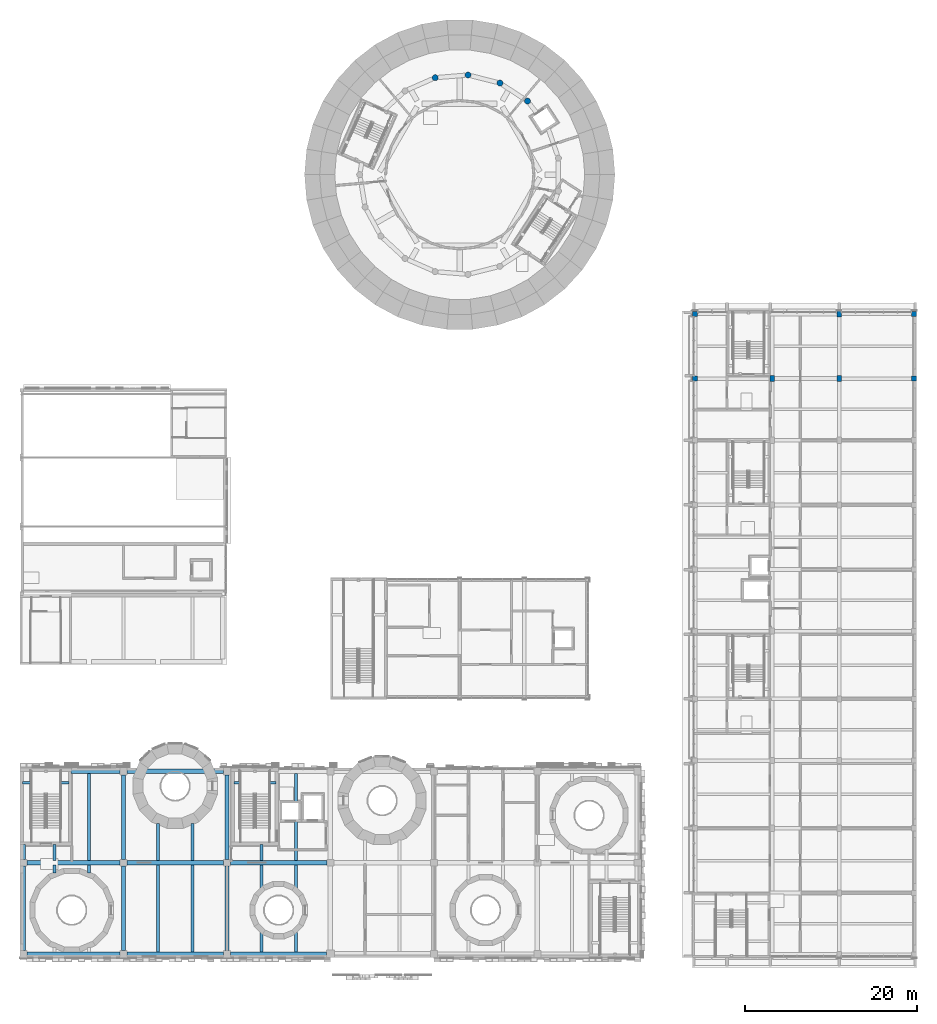
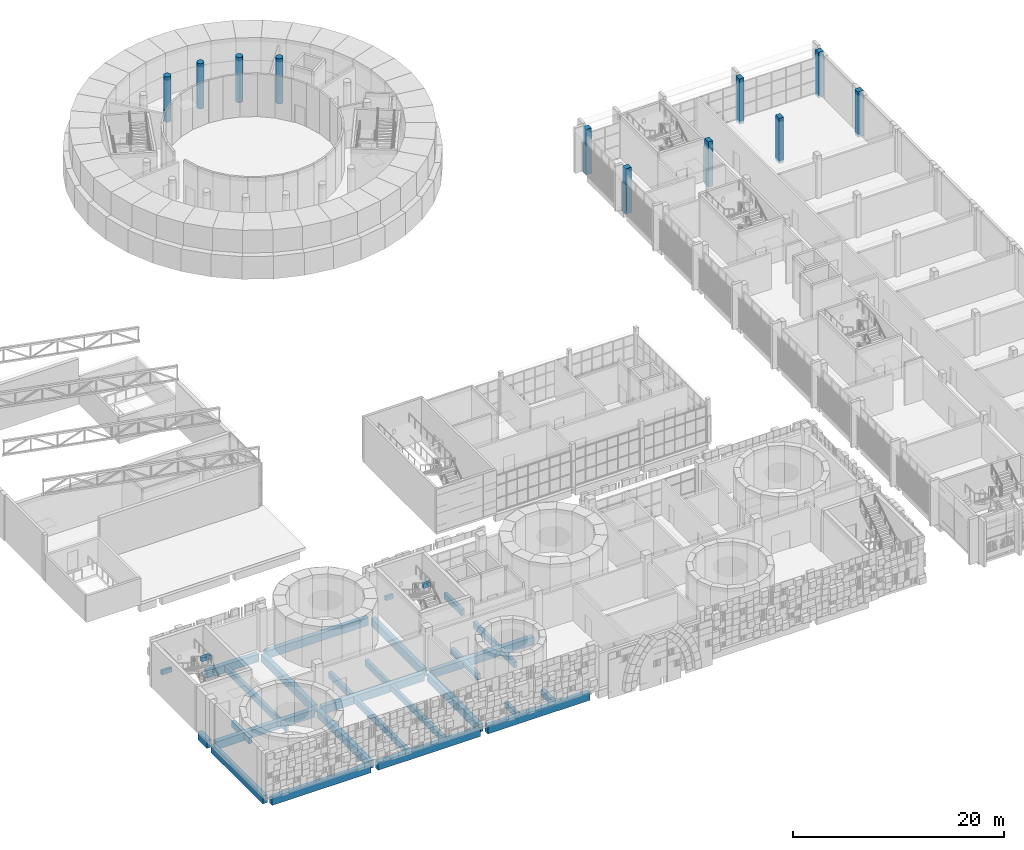
# One storey, part 2 of 125: 33 beams, 11 columns.
"""IFC4 building model written with IfcOpenShell, lengths in metres."""

from ifc_helpers import new_model, si_unit, direction, frame, origin, origin_2d, place, context, subcontext, project, spatial, rectangle, circle, extrude, material, material_profile, profile_set, type_object, element, save


model = new_model("IFC4")

# Units and contexts
model_context = context("Model", 3, precision=1e-05, world=origin(), true_north=direction((0.0, 1.0)))
body_context = subcontext(model_context, "Body", "Model", "MODEL_VIEW")
ifc_project = project(units=[si_unit("LENGTHUNIT", "METRE"), si_unit("AREAUNIT", "SQUARE_METRE"), si_unit("VOLUMEUNIT", "CUBIC_METRE"), si_unit("PLANEANGLEUNIT", "RADIAN"), si_unit("MASSUNIT", "GRAM", prefix="KILO")], contexts=[model_context])

# Site, building, storey
site_placement = place(None, origin())
site = spatial("IfcSite", under=ifc_project, at=site_placement, CompositionType="ELEMENT")
building_placement = place(site_placement, origin())
building = spatial("IfcBuilding", under=site, at=building_placement, Name="Sun Court Science Centre", CompositionType="ELEMENT")
storey_placement = place(building_placement, frame((0.0, 0.0, 6.0)))
storey = spatial("IfcBuildingStorey", under=building, at=storey_placement, Name="L01", CompositionType="ELEMENT", Elevation=6.0)

# Columns
ifc_material_1 = material(Name="Concrete C30/37", Category="concrete")
ifc_material_profile_1 = material_profile(ifc_material_1, rectangle(XDim=0.5, YDim=0.699951171875, at=origin_2d()), Name="RC 500x700")
ifc_profile_set_1 = profile_set([ifc_material_profile_1], Name="Concrete C30/37")
column_type_1 = type_object("IfcColumnType", Name="RC column 500x700", PredefinedType="COLUMN", material=ifc_profile_set_1)
for number, where, z_axis, x_axis, name in (
    (1, (87.25, 73.14990234375, -0.300048828125), (0.0, 0.0, 1.0), (1.0, 0.0, 0.0), "Column 14U L01"),
    (2, (95.0, 73.14990234375, -0.300048828125), (0.0, 0.0, 1.0), (1.0, 0.0, 0.0), "Column 15U L01"),
    (3, (95.0, 80.64990234375, -0.300048828125), (0.0, 0.0, 1.0), (1.0, 0.0, 0.0), "Column 15V L01"),
):
    element("IfcColumn", number, at=place(storey_placement, frame(where, z_axis=z_axis, x_axis=x_axis)), inside=storey, type_object=column_type_1, Name=name, PredefinedType="COLUMN", context=body_context, shape_type="SweptSolid", body=[
        extrude(rectangle(XDim=0.5, YDim=0.699951171875, at=origin_2d()), origin(), (0.0, 0.0, 1.0), 5.25),
    ])
ifc_material_2 = material(Name="Concrete C30/37", Category="concrete")
ifc_material_profile_2 = material_profile(ifc_material_2, rectangle(XDim=0.60009765625, YDim=0.60009765625, at=origin_2d()), Name="RC 600x600")
ifc_profile_set_2 = profile_set([ifc_material_profile_2], Name="Concrete C30/37")
column_type_2 = type_object("IfcColumnType", Name="RC column 600x600", PredefinedType="COLUMN", material=ifc_profile_set_2)
for number, where, z_axis, x_axis, name in (
    (4, (78.300048828125, 73.14990234375, -0.300048828125), (0.0, 0.0, 1.0), (1.0, 0.0, 0.0), "Column 12U L01"),
    (5, (78.300048828125, 80.64990234375, -0.300048828125), (0.0, 0.0, 1.0), (1.0, 0.0, 0.0), "Column 12V L01"),
    (6, (103.699951171875, 73.14990234375, -0.300048828125), (0.0, 0.0, 1.0), (1.0, 0.0, 0.0), "Column 16U L01"),
    (7, (103.699951171875, 80.64990234375, -0.300048828125), (0.0, 0.0, 1.0), (1.0, 0.0, 0.0), "Column 16V L01"),
):
    element("IfcColumn", number, at=place(storey_placement, frame(where, z_axis=z_axis, x_axis=x_axis)), inside=storey, type_object=column_type_2, Name=name, PredefinedType="COLUMN", context=body_context, shape_type="SweptSolid", body=[
        extrude(rectangle(XDim=0.60009765625, YDim=0.60009765625, at=origin_2d()), origin(), (0.0, 0.0, 1.0), 5.25),
    ])
ifc_material_3 = material(Name="Concrete C30/37", Category="concrete")
ifc_material_profile_3 = material_profile(ifc_material_3, circle(Radius=0.35009765625, at=origin_2d()), Name="RC D700")
ifc_profile_set_3 = profile_set([ifc_material_profile_3], Name="Concrete C30/37")
column_type_3 = type_object("IfcColumnType", Name="RC column D700", PredefinedType="COLUMN", material=ifc_profile_set_3)
for number, where, z_axis, x_axis, name in (
    (8, (58.8564453125, 105.33447265625, -0.300048828125), (0.0, 0.0, 1.0), (1.0, 0.0, 0.0), "Column B03 L01"),
    (9, (55.65966796875, 107.4228515625, -0.300048828125), (0.0, 0.0, 1.0), (1.0, 0.0, 0.0), "Column B04 L01"),
    (10, (51.9580078125, 108.3603515625, -0.300048828125), (0.0, 0.0, 1.0), (1.0, 0.0, 0.0), "Column B05 L01"),
    (11, (48.15234375, 108.044921875, -0.300048828125), (0.0, 0.0, 1.0), (1.0, 0.0, 0.0), "Column B06 L01"),
):
    element("IfcColumn", number, at=place(storey_placement, frame(where, z_axis=z_axis, x_axis=x_axis)), inside=storey, type_object=column_type_3, Name=name, PredefinedType="COLUMN", context=body_context, shape_type="SweptSolid", body=[
        extrude(circle(Radius=0.35009765625, at=origin_2d()), origin(), (0.0, 0.0, 1.0), 5.25),
    ])

# Beams
ifc_material_4 = material(Name="Concrete C25/30", Category="concrete")
ifc_material_profile_4 = material_profile(ifc_material_4, rectangle(XDim=0.5, YDim=0.89990234375, at=origin_2d()), Name="RC 500x900")
ifc_profile_set_4 = profile_set([ifc_material_profile_4], Name="Concrete C25/30")
beam_type_1 = type_object("IfcBeamType", Name="RC girder 500x900", PredefinedType="BEAM", material=ifc_profile_set_4)
beam_1_placement = place(storey_placement, frame((0.800048828125, 6.39990234375, -0.75), z_axis=(1.0, 0.0, 0.0), x_axis=(0.0, 1.0, 0.0)))
element("IfcBeam", 12, at=beam_1_placement, inside=storey, type_object=beam_type_1, Name="Girder L01 line 1", PredefinedType="BEAM", context=body_context, shape_type="SweptSolid", body=[
    extrude(rectangle(XDim=0.5, YDim=0.89990234375, at=origin_2d()), origin(), (0.0, 0.0, 1.0), 10.800048828125),
])
beam_2_placement = place(storey_placement, frame((12.39990234375, 6.39990234375, -0.75), z_axis=(1.0, 0.0, 0.0), x_axis=(0.0, 1.0, 0.0)))
element("IfcBeam", 13, at=beam_2_placement, inside=storey, type_object=beam_type_1, Name="Girder L01 line 1", PredefinedType="BEAM", context=body_context, shape_type="SweptSolid", body=[
    extrude(rectangle(XDim=0.5, YDim=0.89990234375, at=origin_2d()), origin(), (0.0, 0.0, 1.0), 11.2001953125),
])
beam_3_placement = place(storey_placement, frame((24.39990234375, 6.39990234375, -0.75), z_axis=(1.0, 0.0, 0.0), x_axis=(0.0, 1.0, 0.0)))
element("IfcBeam", 14, at=beam_3_placement, inside=storey, type_object=beam_type_1, Name="Girder L01 line 1", PredefinedType="BEAM", context=body_context, shape_type="SweptSolid", body=[
    extrude(rectangle(XDim=0.5, YDim=0.89990234375, at=origin_2d()), origin(), (0.0, 0.0, 1.0), 11.150146484375),
])
beam_4_placement = place(storey_placement, frame((0.800048828125, 17.0, -0.75), z_axis=(1.0, 0.0, 0.0), x_axis=(0.0, 1.0, 0.0)))
element("IfcBeam", 15, at=beam_4_placement, inside=storey, type_object=beam_type_1, Name="Girder L01 line 2", PredefinedType="BEAM", context=body_context, shape_type="SweptSolid", body=[
    extrude(rectangle(XDim=0.5, YDim=0.89990234375, at=origin_2d()), origin(), (0.0, 0.0, 1.0), 10.800048828125),
])
for number, where, z_axis, x_axis, name in (
    (16, (12.39990234375, 17.0, -0.75), (1.0, 0.0, 0.0), (0.0, 1.0, 0.0), "Girder L01 line 2"),
    (17, (24.39990234375, 17.0, -0.75), (1.0, 0.0, 0.0), (0.0, 1.0, 0.0), "Girder L01 line 2"),
):
    element("IfcBeam", number, at=place(storey_placement, frame(where, z_axis=z_axis, x_axis=x_axis)), inside=storey, type_object=beam_type_1, Name=name, PredefinedType="BEAM", context=body_context, shape_type="SweptSolid", body=[
        extrude(rectangle(XDim=0.5, YDim=0.89990234375, at=origin_2d()), origin(), (0.0, 0.0, 1.0), 11.2001953125),
    ])
beam_5_placement = place(storey_placement, frame((5.89990234375, 27.60009765625, -0.75), z_axis=(1.0, 0.0, 0.0), x_axis=(0.0, 1.0, 0.0)))
element("IfcBeam", 18, at=beam_5_placement, inside=storey, type_object=beam_type_1, Name="Girder L01 line 3", PredefinedType="BEAM", context=body_context, shape_type="SweptSolid", body=[
    extrude(rectangle(XDim=0.5, YDim=0.89990234375, at=origin_2d()), origin(), (0.0, 0.0, 1.0), 5.7001953125),
])
beam_6_placement = place(storey_placement, frame((12.39990234375, 27.60009765625, -0.75), z_axis=(1.0, 0.0, 0.0), x_axis=(0.0, 1.0, 0.0)))
element("IfcBeam", 19, at=beam_6_placement, inside=storey, type_object=beam_type_1, Name="Girder L01 line 3", PredefinedType="BEAM", context=body_context, shape_type="SweptSolid", body=[
    extrude(rectangle(XDim=0.5, YDim=0.89990234375, at=origin_2d()), origin(), (0.0, 0.0, 1.0), 11.2001953125),
])
beam_7_placement = place(storey_placement, frame((0.39990234375, 6.800048828125, -0.75), z_axis=(0.0, 1.0, 0.0), x_axis=(-1.0, 0.0, 0.0)))
element("IfcBeam", 20, at=beam_7_placement, inside=storey, type_object=beam_type_1, Name="Girder L01 line A", PredefinedType="BEAM", context=body_context, shape_type="SweptSolid", body=[
    extrude(rectangle(XDim=0.5, YDim=0.89990234375, at=origin_2d()), origin(), (0.0, 0.0, 1.0), 9.800048828125),
])
beam_8_placement = place(storey_placement, frame((0.39990234375, 17.39990234375, -0.75), z_axis=(0.0, 1.0, 0.0), x_axis=(-1.0, 0.0, 0.0)))
element("IfcBeam", 21, at=beam_8_placement, inside=storey, type_object=beam_type_1, Name="Girder L01 line A", PredefinedType="BEAM", context=body_context, shape_type="SweptSolid", body=[
    extrude(rectangle(XDim=0.5, YDim=0.89990234375, at=origin_2d()), origin(), (0.0, 0.0, 1.0), 1.7001953125),
])
for number, where, z_axis, x_axis, name in (
    (22, (12.0, 6.800048828125, -0.75), (0.0, 1.0, 0.0), (-1.0, 0.0, 0.0), "Girder L01 line B"),
    (23, (12.0, 17.39990234375, -0.75), (0.0, 1.0, 0.0), (-1.0, 0.0, 0.0), "Girder L01 line B"),
    (24, (24.0, 6.800048828125, -0.75), (0.0, 1.0, 0.0), (-1.0, 0.0, 0.0), "Girder L01 line C"),
    (25, (24.0, 17.39990234375, -0.75), (0.0, 1.0, 0.0), (-1.0, 0.0, 0.0), "Girder L01 line C"),
):
    element("IfcBeam", number, at=place(storey_placement, frame(where, z_axis=z_axis, x_axis=x_axis)), inside=storey, type_object=beam_type_1, Name=name, PredefinedType="BEAM", context=body_context, shape_type="SweptSolid", body=[
        extrude(rectangle(XDim=0.5, YDim=0.89990234375, at=origin_2d()), origin(), (0.0, 0.0, 1.0), 9.800048828125),
    ])
ifc_material_5 = material(Name="Concrete C25/30", Category="concrete")
ifc_material_profile_5 = material_profile(ifc_material_5, rectangle(XDim=0.35009765625, YDim=0.699951171875, at=origin_2d()), Name="RC 350x700")
ifc_profile_set_5 = profile_set([ifc_material_profile_5], Name="Concrete C25/30")
beam_type_2 = type_object("IfcBeamType", Name="RC joist 350x700", PredefinedType="JOIST", material=ifc_profile_set_5)
beam_9_placement = place(storey_placement, frame((4.0, 15.818115234375, -0.64990234375), z_axis=(0.0, 1.0, 0.0), x_axis=(-1.0, 0.0, 0.0)))
element("IfcBeam", 26, at=beam_9_placement, inside=storey, type_object=beam_type_2, Name="Joist L01", PredefinedType="JOIST", context=body_context, shape_type="SweptSolid", body=[
    extrude(rectangle(XDim=0.35009765625, YDim=0.699951171875, at=origin_2d()), origin(), (0.0, 0.0, 1.0), 0.931884765625),
])
beam_10_placement = place(storey_placement, frame((4.0, 17.25, -0.64990234375), z_axis=(0.0, 1.0, 0.0), x_axis=(-1.0, 0.0, 0.0)))
element("IfcBeam", 27, at=beam_10_placement, inside=storey, type_object=beam_type_2, Name="Joist L01", PredefinedType="JOIST", context=body_context, shape_type="SweptSolid", body=[
    extrude(rectangle(XDim=0.35009765625, YDim=0.699951171875, at=origin_2d()), origin(), (0.0, 0.0, 1.0), 1.85009765625),
])
beam_11_placement = place(storey_placement, frame((8.0, 15.818115234375, -0.64990234375), z_axis=(0.0, 1.0, 0.0), x_axis=(-1.0, 0.0, 0.0)))
element("IfcBeam", 28, at=beam_11_placement, inside=storey, type_object=beam_type_2, Name="Joist L01", PredefinedType="JOIST", context=body_context, shape_type="SweptSolid", body=[
    extrude(rectangle(XDim=0.35009765625, YDim=0.699951171875, at=origin_2d()), origin(), (0.0, 0.0, 1.0), 0.931884765625),
])
for number, where, z_axis, x_axis, name in (
    (29, (8.0, 17.25, -0.64990234375), (0.0, 1.0, 0.0), (-1.0, 0.0, 0.0), "Joist L01"),
    (30, (16.0, 6.64990234375, -0.64990234375), (0.0, 1.0, 0.0), (-1.0, 0.0, 0.0), "Joist L01"),
):
    element("IfcBeam", number, at=place(storey_placement, frame(where, z_axis=z_axis, x_axis=x_axis)), inside=storey, type_object=beam_type_2, Name=name, PredefinedType="JOIST", context=body_context, shape_type="SweptSolid", body=[
        extrude(rectangle(XDim=0.35009765625, YDim=0.699951171875, at=origin_2d()), origin(), (0.0, 0.0, 1.0), 10.10009765625),
    ])
beam_12_placement = place(storey_placement, frame((16.0, 17.25, -0.64990234375), z_axis=(0.0, 1.0, 0.0), x_axis=(-1.0, 0.0, 0.0)))
element("IfcBeam", 31, at=beam_12_placement, inside=storey, type_object=beam_type_2, Name="Joist L01", PredefinedType="JOIST", context=body_context, shape_type="SweptSolid", body=[
    extrude(rectangle(XDim=0.35009765625, YDim=0.699951171875, at=origin_2d()), origin(), (0.0, 0.0, 1.0), 4.27880859375),
])
beam_13_placement = place(storey_placement, frame((20.0, 6.64990234375, -0.64990234375), z_axis=(0.0, 1.0, 0.0), x_axis=(-1.0, 0.0, 0.0)))
element("IfcBeam", 32, at=beam_13_placement, inside=storey, type_object=beam_type_2, Name="Joist L01", PredefinedType="JOIST", context=body_context, shape_type="SweptSolid", body=[
    extrude(rectangle(XDim=0.35009765625, YDim=0.699951171875, at=origin_2d()), origin(), (0.0, 0.0, 1.0), 10.10009765625),
])
beam_14_placement = place(storey_placement, frame((20.0, 17.25, -0.64990234375), z_axis=(0.0, 1.0, 0.0), x_axis=(-1.0, 0.0, 0.0)))
element("IfcBeam", 33, at=beam_14_placement, inside=storey, type_object=beam_type_2, Name="Joist L01", PredefinedType="JOIST", context=body_context, shape_type="SweptSolid", body=[
    extrude(rectangle(XDim=0.35009765625, YDim=0.699951171875, at=origin_2d()), origin(), (0.0, 0.0, 1.0), 4.27880859375),
])
beam_15_placement = place(storey_placement, frame((28.0, 6.64990234375, -0.64990234375), z_axis=(0.0, 1.0, 0.0), x_axis=(-1.0, 0.0, 0.0)))
element("IfcBeam", 34, at=beam_15_placement, inside=storey, type_object=beam_type_2, Name="Joist L01", PredefinedType="JOIST", context=body_context, shape_type="SweptSolid", body=[
    extrude(rectangle(XDim=0.35009765625, YDim=0.699951171875, at=origin_2d()), origin(), (0.0, 0.0, 1.0), 2.275634765625),
])
beam_16_placement = place(storey_placement, frame((28.0, 14.074462890625, -0.64990234375), z_axis=(0.0, 1.0, 0.0), x_axis=(-1.0, 0.0, 0.0)))
element("IfcBeam", 35, at=beam_16_placement, inside=storey, type_object=beam_type_2, Name="Joist L01", PredefinedType="JOIST", context=body_context, shape_type="SweptSolid", body=[
    extrude(rectangle(XDim=0.35009765625, YDim=0.699951171875, at=origin_2d()), origin(), (0.0, 0.0, 1.0), 2.675537109375),
])
beam_17_placement = place(storey_placement, frame((28.0, 17.25, -0.64990234375), z_axis=(0.0, 1.0, 0.0), x_axis=(-1.0, 0.0, 0.0)))
element("IfcBeam", 36, at=beam_17_placement, inside=storey, type_object=beam_type_2, Name="Joist L01", PredefinedType="JOIST", context=body_context, shape_type="SweptSolid", body=[
    extrude(rectangle(XDim=0.35009765625, YDim=0.699951171875, at=origin_2d()), origin(), (0.0, 0.0, 1.0), 1.85009765625),
])
beam_18_placement = place(storey_placement, frame((32.0, 6.64990234375, -0.64990234375), z_axis=(0.0, 1.0, 0.0), x_axis=(-1.0, 0.0, 0.0)))
element("IfcBeam", 37, at=beam_18_placement, inside=storey, type_object=beam_type_2, Name="Joist L01", PredefinedType="JOIST", context=body_context, shape_type="SweptSolid", body=[
    extrude(rectangle(XDim=0.35009765625, YDim=0.699951171875, at=origin_2d()), origin(), (0.0, 0.0, 1.0), 2.275634765625),
])
beam_19_placement = place(storey_placement, frame((32.0, 14.074462890625, -0.64990234375), z_axis=(0.0, 1.0, 0.0), x_axis=(-1.0, 0.0, 0.0)))
element("IfcBeam", 38, at=beam_19_placement, inside=storey, type_object=beam_type_2, Name="Joist L01", PredefinedType="JOIST", context=body_context, shape_type="SweptSolid", body=[
    extrude(rectangle(XDim=0.35009765625, YDim=0.699951171875, at=origin_2d()), origin(), (0.0, 0.0, 1.0), 2.675537109375),
])
beam_20_placement = place(storey_placement, frame((32.0, 17.25, -0.64990234375), z_axis=(0.0, 1.0, 0.0), x_axis=(-1.0, 0.0, 0.0)))
element("IfcBeam", 39, at=beam_20_placement, inside=storey, type_object=beam_type_2, Name="Joist L01", PredefinedType="JOIST", context=body_context, shape_type="SweptSolid", body=[
    extrude(rectangle(XDim=0.35009765625, YDim=0.699951171875, at=origin_2d()), origin(), (0.0, 0.0, 1.0), 4.597412109375),
])
beam_21_placement = place(storey_placement, frame((32.0, 24.072509765625, -0.64990234375), z_axis=(0.0, 1.0, 0.0), x_axis=(-1.0, 0.0, 0.0)))
element("IfcBeam", 40, at=beam_21_placement, inside=storey, type_object=beam_type_2, Name="Joist L01", PredefinedType="JOIST", context=body_context, shape_type="SweptSolid", body=[
    extrude(rectangle(XDim=0.35009765625, YDim=0.699951171875, at=origin_2d()), origin(), (0.0, 0.0, 1.0), 3.277587890625),
])
ifc_material_6 = material(Name="Concrete C25/30", Category="concrete")
ifc_material_profile_6 = material_profile(ifc_material_6, rectangle(XDim=0.300048828125, YDim=0.5, at=origin_2d()), Name="RC 300x500")
ifc_profile_set_6 = profile_set([ifc_material_profile_6], Name="Concrete C25/30")
beam_type_3 = type_object("IfcBeamType", Name="RC landing trimmer 300x500", PredefinedType="BEAM", material=ifc_profile_set_6)
for number, where, z_axis, x_axis, name in (
    (41, (5.699951171875, 26.283935546875, 2.175048828125), (-1.0, 0.0, 0.0), (0.0, -1.0, 0.0), "SB1 landing 1 trimmer beam 4"),
    (42, (0.300048828125, 26.283935546875, 2.175048828125), (1.0, 0.0, 0.0), (0.0, 1.0, 0.0), "SB1 landing 1 trimmer beam 5"),
):
    element("IfcBeam", number, at=place(storey_placement, frame(where, z_axis=z_axis, x_axis=x_axis)), inside=storey, type_object=beam_type_3, Name=name, PredefinedType="BEAM", context=body_context, shape_type="SweptSolid", body=[
        extrude(rectangle(XDim=0.300048828125, YDim=0.5, at=origin_2d()), origin(), (0.0, 0.0, 1.0), 1.06689453125),
    ])
for number, where, z_axis, x_axis, name in (
    (43, (29.699951171875, 26.283935546875, 2.175048828125), (-1.0, 0.0, 0.0), (0.0, -1.0, 0.0), "SB2 landing 1 trimmer beam 4"),
    (44, (24.800048828125, 26.283935546875, 2.175048828125), (1.0, 0.0, 0.0), (0.0, 1.0, 0.0), "SB2 landing 1 trimmer beam 5"),
):
    element("IfcBeam", number, at=place(storey_placement, frame(where, z_axis=z_axis, x_axis=x_axis)), inside=storey, type_object=beam_type_3, Name=name, PredefinedType="BEAM", context=body_context, shape_type="SweptSolid", body=[
        extrude(rectangle(XDim=0.300048828125, YDim=0.5, at=origin_2d()), origin(), (0.0, 0.0, 1.0), 0.81689453125),
    ])

save(model, "model.ifc")
